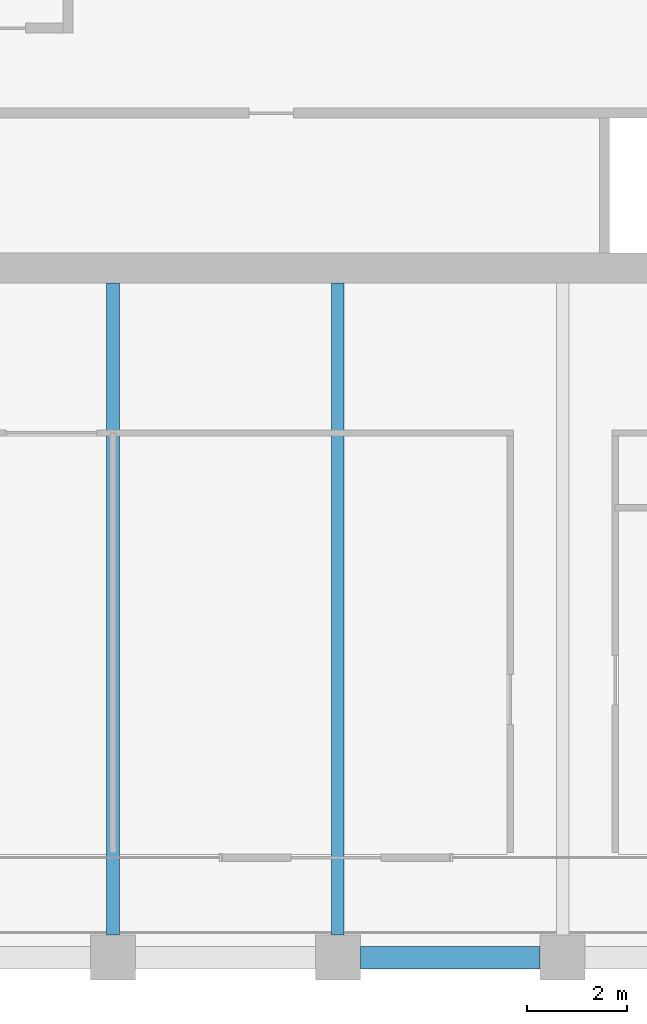
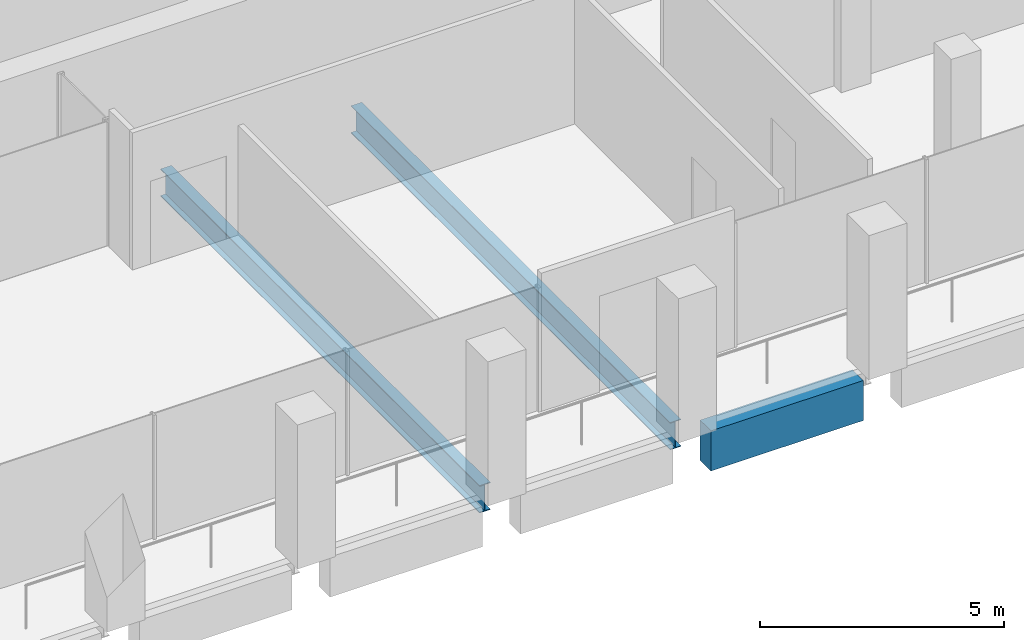
# One storey, part 8 of 40: 3 beams.
"""IFC4 building model written with IfcOpenShell, lengths in metres."""

import ifcopenshell
import ifcopenshell.guid

model = None  # the IFC model being written
_history = None  # IfcOwnerHistory: only IFC2X3 demands one
_inside = {}  # id of a spatial element -> (the spatial element, [elements in it])
_under = {}  # id of a project, library or spatial element -> (it, [spatial elements below it])
_declared = {}  # id of a project -> (the project, [libraries it declares])
_typed = {}  # id of a type object -> (the type object, [elements of that type])
_made_of = {}  # id of a material, layer set ... -> (it, [elements and type objects made of it])


def new_model(schema):
    """Start an empty IFC model of exactly this schema.

    Asked for "IFC4X3", IfcOpenShell would pick the latest addendum, in which some entities
    have other attributes; the version numbers below select the first issue.
    IFC2X3 requires an IfcOwnerHistory on every rooted entity: one is made here for all.
    """
    global model, _history
    if schema == "IFC4X3":
        model = ifcopenshell.file(schema_version=(4, 3, 0, 0))
    else:
        model = ifcopenshell.file(schema=schema)
    _inside.clear()
    _under.clear()
    _declared.clear()
    _typed.clear()
    _made_of.clear()
    _history = None
    if model.schema == "IFC2X3":
        org = make("IfcOrganization", Name="unknown")
        user = make(
            "IfcPersonAndOrganization",
            ThePerson=make("IfcPerson", FamilyName="unknown"),
            TheOrganization=org,
        )
        app = make(
            "IfcApplication",
            ApplicationDeveloper=org,
            Version="unknown",
            ApplicationFullName="unknown",
            ApplicationIdentifier="unknown",
        )
        _history = make(
            "IfcOwnerHistory",
            OwningUser=user,
            OwningApplication=app,
            ChangeAction="ADDED",
            CreationDate=0,
        )
    return model


def make(cls, **values):
    """One entity of the class cls with the attributes given. An attribute that is None is left unset."""
    return model.create_entity(
        cls, **{name: value for name, value in values.items() if value is not None}
    )


def rooted(cls, **values):
    """An entity with a GlobalId (a new one), such as an element, a storey or a relation."""
    return make(cls, GlobalId=ifcopenshell.guid.new(), OwnerHistory=_history, **values)


def si_unit(unit_type, name, prefix=None):
    """IfcSIUnit, for example si_unit("LENGTHUNIT", "METRE", prefix="MILLI")."""
    return make("IfcSIUnit", UnitType=unit_type, Prefix=prefix, Name=name)


def assignment(units):
    """IfcUnitAssignment: the units of a project."""
    return None if units is None else make("IfcUnitAssignment", Units=units)


def point(xyz):
    """IfcCartesianPoint."""
    return None if xyz is None else make("IfcCartesianPoint", Coordinates=xyz)


def direction(xyz):
    """IfcDirection."""
    return None if xyz is None else make("IfcDirection", DirectionRatios=xyz)


def frame(location, z_axis=None, x_axis=None):
    """IfcAxis2Placement3D, a coordinate frame: its origin and axes. An axis left out is left unset."""
    return make(
        "IfcAxis2Placement3D",
        Location=point(location),
        Axis=direction(z_axis),
        RefDirection=direction(x_axis),
    )


def frame_2d(location, x_axis=None):
    """IfcAxis2Placement2D, a coordinate frame in the plane: its origin and x axis."""
    return make(
        "IfcAxis2Placement2D", Location=point(location), RefDirection=direction(x_axis)
    )


def origin():
    """The frame at (0, 0, 0) with its axes left unset."""
    return frame((0.0, 0.0, 0.0))


def origin_2d():
    """The frame at (0, 0) in the plane with its x axis left unset."""
    return frame_2d((0.0, 0.0))


def place(relative_to, where):
    """IfcLocalPlacement: puts the frame where relative to a parent placement (None: the world)."""
    return make(
        "IfcLocalPlacement", PlacementRelTo=relative_to, RelativePlacement=where
    )


def context(
    kind, dimensions, precision=None, world=None, true_north=None, identifier=None
):
    """IfcGeometricRepresentationContext, for example the 3D "Model" context."""
    return make(
        "IfcGeometricRepresentationContext",
        ContextIdentifier=identifier,
        ContextType=kind,
        CoordinateSpaceDimension=dimensions,
        Precision=precision,
        WorldCoordinateSystem=world,
        TrueNorth=true_north,
    )


def subcontext(parent, identifier, kind, view, scale=None):
    """IfcGeometricRepresentationSubContext, for example "Body" below "Model"."""
    return make(
        "IfcGeometricRepresentationSubContext",
        ContextIdentifier=identifier,
        ContextType=kind,
        ParentContext=parent,
        TargetScale=scale,
        TargetView=view,
    )


def project(units=None, contexts=None):
    """IfcProject with its units and contexts."""
    return rooted(
        "IfcProject",
        Name="project",
        RepresentationContexts=contexts,
        UnitsInContext=assignment(units),
    )


def spatial(cls, under=None, at=None, **own):
    """A site, building, storey or space (cls), placed at a placement, below another one or the project."""
    s = rooted(cls, ObjectPlacement=at, **own)
    if under is not None:
        _under.setdefault(under.id(), (under, []))[1].append(s)
    return s


def profile(cls, at=None, kind="AREA", **sizes):
    """A parametric profile (cls). Its sizes go by their IFC names, for example OverallWidth=200.0."""
    return make(cls, ProfileType=kind, Position=at, **sizes)


def rectangle(**sizes):
    """IfcRectangleProfileDef."""
    return profile("IfcRectangleProfileDef", **sizes)


def i_section(**sizes):
    """IfcIShapeProfileDef."""
    return profile("IfcIShapeProfileDef", **sizes)


def extrude(swept, where, along, depth):
    """IfcExtrudedAreaSolid: the profile swept, set in the frame where, extruded along a direction by depth."""
    return make(
        "IfcExtrudedAreaSolid",
        SweptArea=swept,
        Position=where,
        ExtrudedDirection=direction(along),
        Depth=depth,
    )


def shape(context_of_items, identifier, shape_type, items):
    """IfcShapeRepresentation: the items that make up one representation, for example the "Body"."""
    return make(
        "IfcShapeRepresentation",
        ContextOfItems=context_of_items,
        RepresentationIdentifier=identifier,
        RepresentationType=shape_type,
        Items=items,
    )


def material(Name=None, Category=None):
    """IfcMaterial."""
    return make("IfcMaterial", Name=Name, Category=Category)


def material_profile(
    of_material, cross_section, Name=None, Category=None, Priority=None
):
    """IfcMaterialProfile: a cross section and its material."""
    return make(
        "IfcMaterialProfile",
        Name=Name,
        Material=of_material,
        Profile=cross_section,
        Priority=Priority,
        Category=Category,
    )


def profile_set(profiles, Name=None, composite=None):
    """IfcMaterialProfileSet."""
    return make(
        "IfcMaterialProfileSet",
        Name=Name,
        MaterialProfiles=profiles,
        CompositeProfile=composite,
    )


def made_of(thing, what):
    """Note that an element or type object is made of a material, layer set ...; save() writes the relation."""
    if what is not None:
        _made_of.setdefault(what.id(), (what, []))[1].append(thing)
    return thing


def type_object(cls, material=None, **own):
    """A type object (cls), such as IfcWallType, which elements share."""
    return made_of(rooted(cls, **own), material)


def element(
    cls,
    number,
    at=None,
    inside=None,
    cuts=None,
    type_object=None,
    material=None,
    context=None,
    identifier="Body",
    shape_type=None,
    held_by="IfcProductDefinitionShape",
    body=None,
    shapes=None,
    **own,
):
    """One element of the class cls, such as IfcWall. Its Tag is "e" and its number.

    at: its placement. inside: the storey or other place that contains it. cuts: it is an
    opening in that element (IfcRelVoidsElement). A single representation is given by context,
    identifier, shape_type and body (its items); several are given by shapes. held_by: the class
    of the entity that holds the representations. save() writes the other relations.
    """
    e = rooted(cls, Tag="e%d" % number, ObjectPlacement=at, **own)
    if body is not None:
        shapes = [shape(context, identifier, shape_type, body)]
    if shapes is not None:
        e.Representation = make(held_by, Representations=shapes)
    if inside is not None:
        _inside.setdefault(inside.id(), (inside, []))[1].append(e)
    if cuts is not None:
        rooted(
            "IfcRelVoidsElement", RelatingBuildingElement=cuts, RelatedOpeningElement=e
        )
    if type_object is not None:
        _typed.setdefault(type_object.id(), (type_object, []))[1].append(e)
    return made_of(e, material)


def aggregate(whole, parts):
    """IfcRelAggregates: a whole, such as a stair, and the parts it consists of."""
    return rooted("IfcRelAggregates", RelatingObject=whole, RelatedObjects=parts)


def save(model, path):
    """Write the relations noted so far, then the file.

    IfcRelAggregates (storeys below a building ...), IfcRelContainedInSpatialStructure (elements
    in a storey), IfcRelDefinesByType, IfcRelAssociatesMaterial and IfcRelDeclares: one each for
    every whole, place, type object, material and project.
    """
    for whole, parts in _under.values():
        aggregate(whole, parts)
    for where, things in _inside.values():
        rooted(
            "IfcRelContainedInSpatialStructure",
            RelatedElements=things,
            RelatingStructure=where,
        )
    for kind, things in _typed.values():
        rooted("IfcRelDefinesByType", RelatedObjects=things, RelatingType=kind)
    for what, things in _made_of.values():
        rooted("IfcRelAssociatesMaterial", RelatedObjects=things, RelatingMaterial=what)
    for by, libraries in _declared.values():
        rooted("IfcRelDeclares", RelatingContext=by, RelatedDefinitions=libraries)
    model.write(path)


model = new_model("IFC4")

# Units and contexts
model_context = context("Model", 3, precision=1e-05, world=origin(), true_north=direction((0.0, 1.0)))
body_context = subcontext(model_context, "Body", "Model", "MODEL_VIEW")
ifc_project = project(units=[si_unit("LENGTHUNIT", "METRE"), si_unit("AREAUNIT", "SQUARE_METRE"), si_unit("VOLUMEUNIT", "CUBIC_METRE"), si_unit("PLANEANGLEUNIT", "RADIAN"), si_unit("MASSUNIT", "GRAM", prefix="KILO")], contexts=[model_context])

# Site, building, storey
site_placement = place(None, origin())
site = spatial("IfcSite", under=ifc_project, at=site_placement, CompositionType="ELEMENT")
building_placement = place(site_placement, origin())
building = spatial("IfcBuilding", under=site, at=building_placement, Name="Altepetl Exchange Towers", CompositionType="ELEMENT")
storey_placement = place(building_placement, frame((0.0, 0.0, 183.39990234375)))
storey = spatial("IfcBuildingStorey", under=building, at=storey_placement, Name="L46", CompositionType="ELEMENT", Elevation=183.39990234375)

# Beams
ifc_material_1 = material(Name="Steel S355", Category="steel")
ifc_material_profile_1 = material_profile(ifc_material_1, i_section(OverallWidth=0.25390625, OverallDepth=0.68408203125, WebThickness=0.012451171875, FlangeThickness=0.018798828125, at=origin_2d()), Name="W27X94")
ifc_profile_set_1 = profile_set([ifc_material_profile_1], Name="Steel S355")
beam_type_1 = type_object("IfcBeamType", Name="Floor beam W27X94", PredefinedType="BEAM", material=ifc_profile_set_1)
for number, where, z_axis, x_axis, name in (
    (1, (45.0, 27.449951171875, -0.491943359375), (0.0, 1.0, 0.0), (-1.0, 0.0, 0.0), "bm:A:L46:015"),
    (2, (49.5, 27.449951171875, -0.491943359375), (0.0, 1.0, 0.0), (-1.0, 0.0, 0.0), "bm:A:L46:016"),
):
    element("IfcBeam", number, at=place(storey_placement, frame(where, z_axis=z_axis, x_axis=x_axis)), inside=storey, type_object=beam_type_1, Name=name, PredefinedType="BEAM", context=body_context, shape_type="SweptSolid", body=[
        extrude(i_section(OverallWidth=0.25390625, OverallDepth=0.68408203125, WebThickness=0.012451171875, FlangeThickness=0.018798828125, at=origin_2d()), origin(), (0.0, 0.0, 1.0), 13.050048828125),
    ])
ifc_material_2 = material(Name="Concrete C50/60 precast with cantera blanca facing", Category="concrete")
ifc_material_profile_2 = material_profile(ifc_material_2, rectangle(XDim=0.449951171875, YDim=1.0, at=origin_2d()), Name="450 x 1000")
ifc_profile_set_2 = profile_set([ifc_material_profile_2], Name="Concrete C50/60 precast with cantera blanca facing")
beam_type_2 = type_object("IfcBeamType", Name="Spandrel beam 450x1000 cantera blanca", PredefinedType="SPANDREL", material=ifc_profile_set_2)
beam_placement = place(storey_placement, frame((49.949951171875, 27.0, -0.64990234375), z_axis=(1.0, 0.0, 0.0), x_axis=(0.0, 1.0, 0.0)))
element("IfcBeam", 3, at=beam_placement, inside=storey, type_object=beam_type_2, Name="sp:A:L46:004", PredefinedType="SPANDREL", context=body_context, shape_type="SweptSolid", body=[
    extrude(rectangle(XDim=0.449951171875, YDim=1.0, at=origin_2d()), origin(), (0.0, 0.0, 1.0), 3.60009765625),
])

save(model, "model.ifc")
